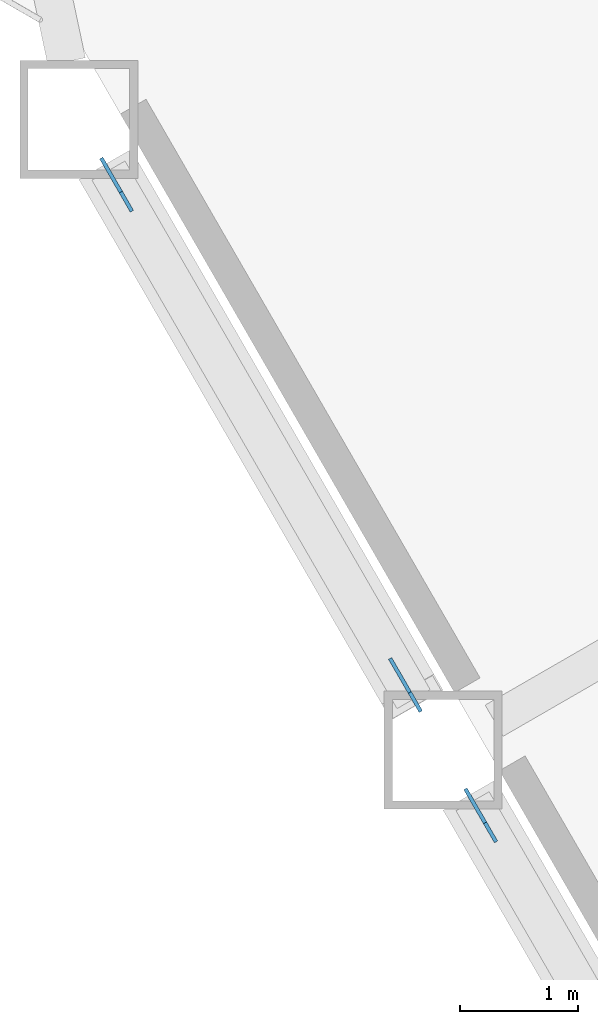
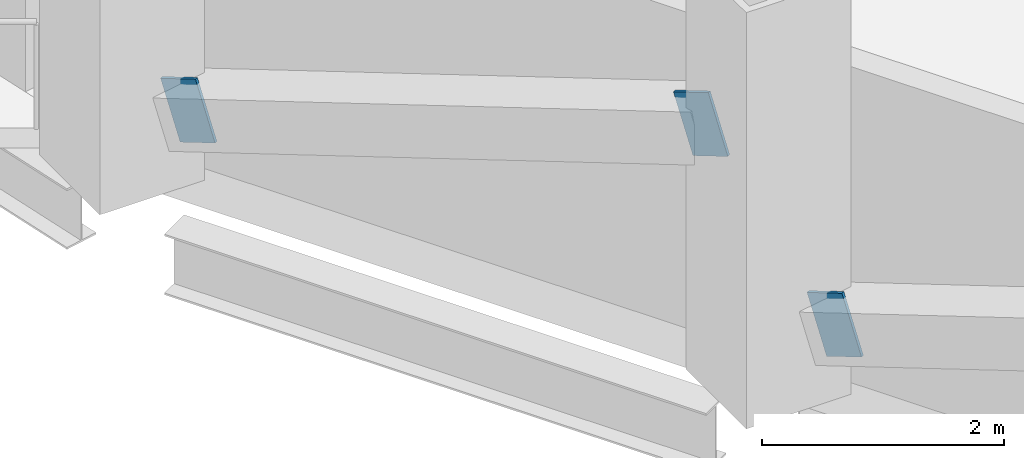
# One storey, part 14 of 21: 3 discrete accessories.
"""IFC4 building model written with IfcOpenShell, lengths in metres."""

from ifc_helpers import new_model, si_unit, direction, frame, origin, origin_2d, place, context, subcontext, project, spatial, rectangle, extrude, material, material_profile, profile_set, type_object, element, save


model = new_model("IFC4")

# Units and contexts
model_context = context("Model", 3, precision=1e-05, world=origin(), true_north=direction((0.0, 1.0)))
body_context = subcontext(model_context, "Body", "Model", "MODEL_VIEW")
ifc_project = project(units=[si_unit("LENGTHUNIT", "METRE"), si_unit("AREAUNIT", "SQUARE_METRE"), si_unit("VOLUMEUNIT", "CUBIC_METRE"), si_unit("PLANEANGLEUNIT", "RADIAN"), si_unit("MASSUNIT", "GRAM", prefix="KILO")], contexts=[model_context])

# Site, building, storey
site_placement = place(None, origin())
site = spatial("IfcSite", under=ifc_project, at=site_placement, CompositionType="ELEMENT")
building_placement = place(site_placement, origin())
building = spatial("IfcBuilding", under=site, at=building_placement, Name="Cormorant Prow Tower", CompositionType="ELEMENT")
storey_placement = place(building_placement, frame((0.0, 0.0, 51.0)))
storey = spatial("IfcBuildingStorey", under=building, at=storey_placement, Name="L10", CompositionType="ELEMENT", Elevation=51.0)

# Discrete accessories
ifc_material = material(Name="Structural steel ASTM A500 Gr C", Category="steel")
ifc_material_profile = material_profile(ifc_material, rectangle(XDim=0.031982421875, YDim=0.60791015625, at=origin_2d()), Name="Gusset plate 32x608")
ifc_profile_set = profile_set([ifc_material_profile], Name="Structural steel ASTM A500 Gr C")
discrete_accessory_type = type_object("IfcDiscreteAccessoryType", Name="Gusset plate 32x608", PredefinedType="BRACKET", material=ifc_profile_set)
discrete_accessory_placement = place(storey_placement, frame((-30.597900390625, -11.47021484375, 0.859375), z_axis=(-0.475651503409, 0.824369614413, -0.306871937683), x_axis=(-0.866161185697, -0.499764745047, 0.0)))
element("IfcDiscreteAccessory", 1, at=discrete_accessory_placement, inside=storey, type_object=discrete_accessory_type, Name="Gusset plate GP1 L10.WSW00.g0", PredefinedType="BRACKET", context=body_context, shape_type="SweptSolid", body=[
    extrude(rectangle(XDim=0.031982421875, YDim=0.60791015625, at=origin_2d()), origin(), (0.0, 0.0, 1.0), 0.35009765625),
])
for number, where, z_axis, x_axis, name in (
    (2, (-28.3173828125, -15.42041015625, 2.32958984375), (0.476464602218, -0.823872174553, 0.306946449452), (0.865660382551, 0.500631703033, 0.0), "Gusset plate GP1 L10.WSW00.g1"),
    (3, (-27.512939453125, -16.813232421875, 0.859375), (-0.476464602218, 0.823872174553, -0.306946449452), (-0.865660382551, -0.500631703033, 0.0), "Gusset plate GP1 L10.WSW01.g0"),
):
    element("IfcDiscreteAccessory", number, at=place(storey_placement, frame(where, z_axis=z_axis, x_axis=x_axis)), inside=storey, type_object=discrete_accessory_type, Name=name, PredefinedType="BRACKET", context=body_context, shape_type="SweptSolid", body=[
        extrude(rectangle(XDim=0.031982421875, YDim=0.60791015625, at=origin_2d()), origin(), (0.0, 0.0, 1.0), 0.349853515625),
    ])

save(model, "model.ifc")
